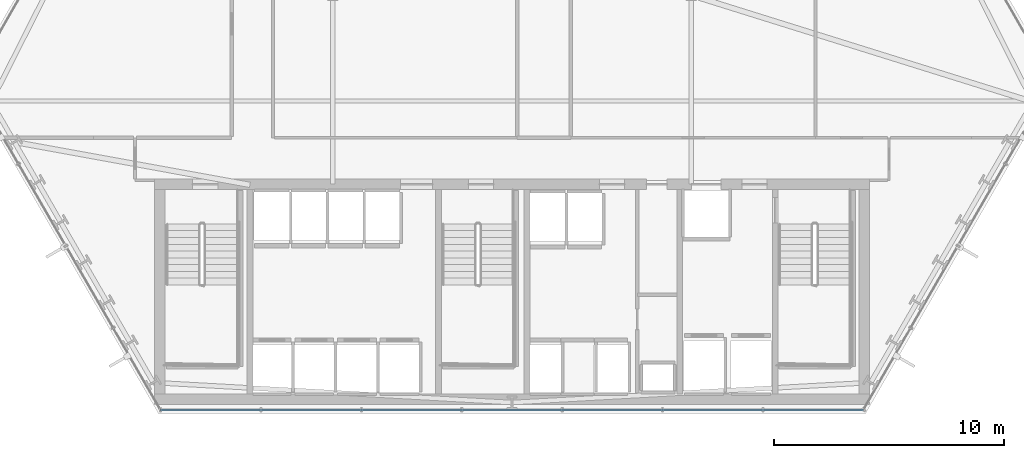
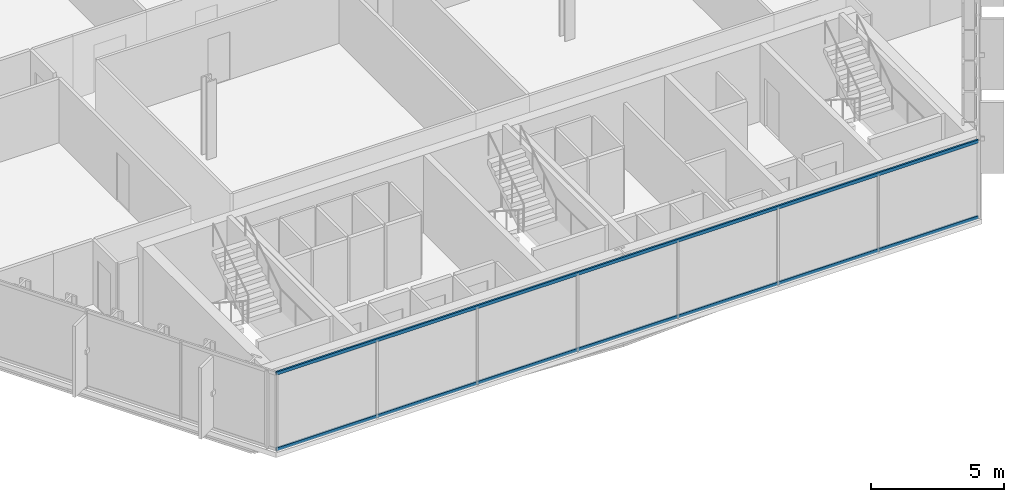
# One storey, part 7 of 33: 2 members, 1 element without a shape of its own.
"""IFC4 building model written with IfcOpenShell, lengths in metres."""

from ifc_helpers import new_model, si_unit, direction, frame, origin, origin_2d, place, context, subcontext, project, spatial, hollow_rectangle, extrude, material, layer, layer_set, material_profile, profile_set, type_object, element, aggregate, save


model = new_model("IFC4")

# Units and contexts
model_context = context("Model", 3, precision=1e-05, world=origin(), true_north=direction((0.0, 1.0)))
body_context = subcontext(model_context, "Body", "Model", "MODEL_VIEW")
ifc_project = project(units=[si_unit("LENGTHUNIT", "METRE"), si_unit("AREAUNIT", "SQUARE_METRE"), si_unit("VOLUMEUNIT", "CUBIC_METRE"), si_unit("PLANEANGLEUNIT", "RADIAN"), si_unit("MASSUNIT", "GRAM", prefix="KILO")], contexts=[model_context])

# Site, building, storey
site_placement = place(None, origin())
site = spatial("IfcSite", under=ifc_project, at=site_placement, CompositionType="ELEMENT")
building_placement = place(site_placement, origin())
building = spatial("IfcBuilding", under=site, at=building_placement, Name="Ndaravel Arena Tower", CompositionType="ELEMENT")
storey_placement = place(building_placement, frame((0.0, 0.0, 36.0)))
storey = spatial("IfcBuildingStorey", under=building, at=storey_placement, Name="L06", CompositionType="ELEMENT", Elevation=36.0)

# Curtain wall, members
ifc_material_1 = material(Name="Aluminium", Category="aluminium")
ifc_layer = layer(ifc_material_1, 0.179931640625)
ifc_layer_set = layer_set([ifc_layer], Name="Aluminium")
curtain_wall_type = type_object("IfcCurtainWallType", Name="CW-SYS-03", PredefinedType="NOTDEFINED", material=ifc_layer_set)
curtain_wall_placement = place(storey_placement, origin())
curtain_wall = element("IfcCurtainWall", 1, at=curtain_wall_placement, inside=storey, type_object=curtain_wall_type, Name="L06 Faceted Crystal Curtain Wall CW-L06-E01", PredefinedType="NOTDEFINED")
ifc_material_2 = material(Name="Aluminium", Category="aluminium")
ifc_material_profile = material_profile(ifc_material_2, hollow_rectangle(XDim=0.074951171875, YDim=0.14990234375, WallThickness=0.00390625, at=origin_2d()), Name="CW TRANSOM 75x150x4")
ifc_profile_set = profile_set([ifc_material_profile], Name="Aluminium")
member_type = type_object("IfcMemberType", Name="MEM-CW-TRN150", PredefinedType="USERDEFINED", material=ifc_profile_set)
member_1_placement = place(storey_placement, frame((26.7119140625, 5.159912109375, 0.0400390625), z_axis=(1.0, 0.0, 0.0), x_axis=(0.0, 1.0, 0.0)))
member_1 = element("IfcMember", 2, at=member_1_placement, type_object=member_type, Name="CW-L06-E01 Transom 01", ObjectType="TRANSOM", PredefinedType="USERDEFINED", context=body_context, shape_type="SweptSolid", body=[
    extrude(hollow_rectangle(XDim=0.074951171875, YDim=0.14990234375, WallThickness=0.00390625, at=origin_2d()), origin(), (0.0, 0.0, 1.0), 30.576171875),
])
member_2_placement = place(storey_placement, frame((26.7119140625, 5.159912109375, 3.5400390625), z_axis=(1.0, 0.0, 0.0), x_axis=(0.0, 1.0, 0.0)))
member_2 = element("IfcMember", 3, at=member_2_placement, type_object=member_type, Name="CW-L06-E01 Transom 02", ObjectType="TRANSOM", PredefinedType="USERDEFINED", context=body_context, shape_type="SweptSolid", body=[
    extrude(hollow_rectangle(XDim=0.074951171875, YDim=0.14990234375, WallThickness=0.00390625, at=origin_2d()), origin(), (0.0, 0.0, 1.0), 30.576171875),
])
aggregate(curtain_wall, [member_1, member_2])

save(model, "model.ifc")
